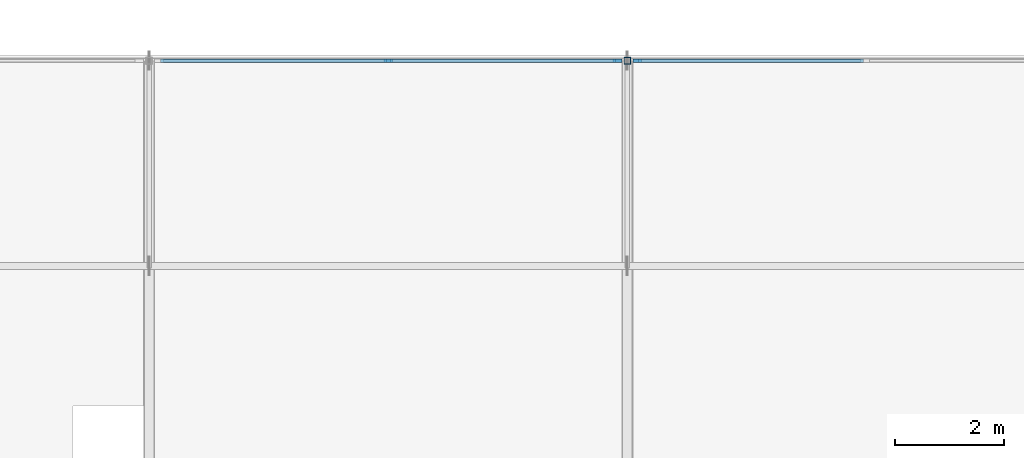
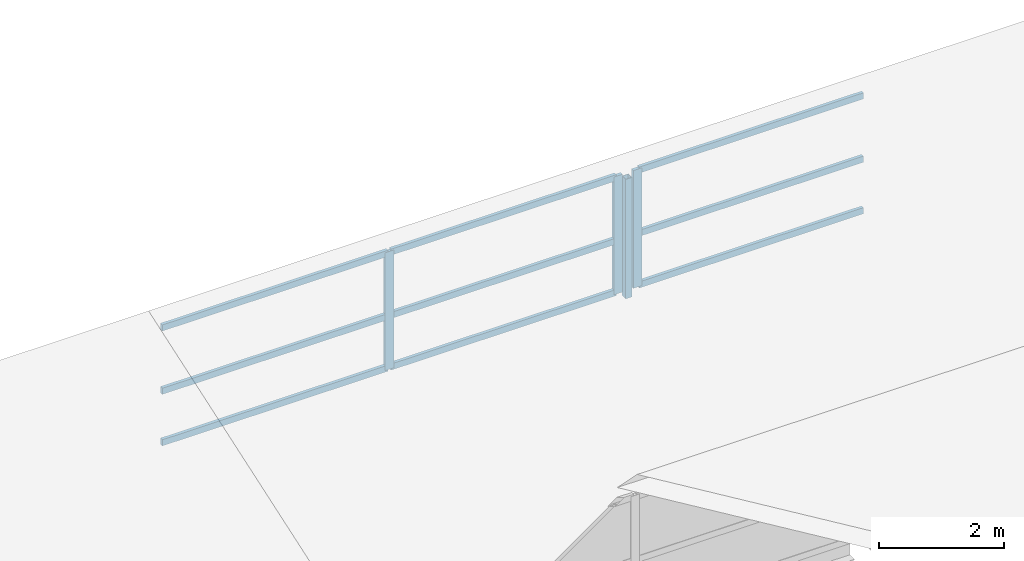
# One storey, part 20 of 40: 13 members, 2 elements without a shape of their own.
"""IFC4 building model written with IfcOpenShell, lengths in metres."""

from ifc_helpers import new_model, si_unit, direction, frame, origin, origin_2d, place, context, subcontext, project, spatial, rectangle, hollow_rectangle, extrude, material, material_profile, profile_set, type_object, element, aggregate, save


model = new_model("IFC4")

# Units and contexts
model_context = context("Model", 3, precision=1e-05, world=origin(), true_north=direction((0.0, 1.0)))
body_context = subcontext(model_context, "Body", "Model", "MODEL_VIEW")
ifc_project = project(units=[si_unit("LENGTHUNIT", "METRE"), si_unit("AREAUNIT", "SQUARE_METRE"), si_unit("VOLUMEUNIT", "CUBIC_METRE"), si_unit("PLANEANGLEUNIT", "RADIAN"), si_unit("MASSUNIT", "GRAM", prefix="KILO")], contexts=[model_context])

# Site, building, storey
site_placement = place(None, origin())
site = spatial("IfcSite", under=ifc_project, at=site_placement, CompositionType="ELEMENT")
building_placement = place(site_placement, origin())
building = spatial("IfcBuilding", under=site, at=building_placement, Name="Brinegate Botanical Conservatory", CompositionType="ELEMENT")
storey_placement = place(building_placement, frame((0.0, 0.0, 19.199951171875)))
storey = spatial("IfcBuildingStorey", under=building, at=storey_placement, Name="L05", CompositionType="ELEMENT", Elevation=19.199951171875)

# Curtain wall, members
ifc_material_1 = material(Name="Thermally broken anodised aluminium AW-6063-T6", Category="aluminium")
curtain_wall_type = type_object("IfcCurtainWallType", Name="CW_CW-SAW", PredefinedType="USERDEFINED", material=ifc_material_1)
curtain_wall_1_placement = place(storey_placement, origin())
curtain_wall_1 = element("IfcCurtainWall", 1, at=curtain_wall_1_placement, inside=storey, type_object=curtain_wall_type, Name="Sawtooth north-light clerestory B3.7", ObjectType="FACTORY CURTAIN WALL", PredefinedType="USERDEFINED")
ifc_material_profile_1 = material_profile(ifc_material_1, rectangle(XDim=0.06005859375, YDim=0.159912109375, at=origin_2d()), Name="ALUM MULLION 60x160")
ifc_profile_set_1 = profile_set([ifc_material_profile_1], Name="Thermally broken anodised aluminium AW-6063-T6")
member_type_1 = type_object("IfcMemberType", Name="Member_ML-01", PredefinedType="MULLION", material=ifc_profile_set_1)
member_1_placement = place(storey_placement, frame((108.0, 111.14990234375, 0.150146484375), z_axis=(0.0, 0.0, 1.0), x_axis=(0.0, 1.0, 0.0)))
member_1 = element("IfcMember", 2, at=member_1_placement, type_object=member_type_1, Name="CW-SAW mullion 2", PredefinedType="MULLION", context=body_context, shape_type="SweptSolid", body=[
    extrude(rectangle(XDim=0.06005859375, YDim=0.159912109375, at=origin_2d()), origin(), (0.0, 0.0, 1.0), 2.2998046875),
])
member_2_placement = place(storey_placement, frame((112.219970703125, 111.14990234375, 0.150146484375), z_axis=(0.0, 0.0, 1.0), x_axis=(0.0, 1.0, 0.0)))
member_2 = element("IfcMember", 3, at=member_2_placement, type_object=member_type_1, Name="CW-SAW mullion 3", PredefinedType="MULLION", context=body_context, shape_type="SweptSolid", body=[
    extrude(rectangle(XDim=0.06005859375, YDim=0.159912109375, at=origin_2d()), origin(), (0.0, 0.0, 1.0), 2.2998046875),
])

# Curtain wall, member
curtain_wall_2_placement = place(storey_placement, origin())
curtain_wall_2 = element("IfcCurtainWall", 4, at=curtain_wall_2_placement, inside=storey, type_object=curtain_wall_type, Name="Sawtooth north-light clerestory B3.8", ObjectType="FACTORY CURTAIN WALL", PredefinedType="USERDEFINED")
member_3_placement = place(storey_placement, frame((112.580078125, 111.14990234375, 0.150146484375), z_axis=(0.0, 0.0, 1.0), x_axis=(0.0, 1.0, 0.0)))
member_3 = element("IfcMember", 5, at=member_3_placement, type_object=member_type_1, Name="CW-SAW mullion 1", PredefinedType="MULLION", context=body_context, shape_type="SweptSolid", body=[
    extrude(rectangle(XDim=0.06005859375, YDim=0.159912109375, at=origin_2d()), origin(), (0.0, 0.0, 1.0), 2.2998046875),
])

# Member
ifc_material_2 = material(Name="Structural steel Q355B / S355", Category="steel")
ifc_material_profile_2 = material_profile(ifc_material_2, hollow_rectangle(XDim=0.1201171875, YDim=0.1201171875, WallThickness=0.006103515625, at=origin_2d()), Name="SHS 120x120x6")
ifc_profile_set_2 = profile_set([ifc_material_profile_2], Name="Structural steel Q355B / S355")
member_type_2 = type_object("IfcMemberType", Name="Member_SS-01", PredefinedType="STRUT", material=ifc_profile_set_2)
member_4_placement = place(storey_placement, frame((112.39990234375, 111.14990234375, 0.02001953125), z_axis=(0.0, 0.0, 1.0), x_axis=(1.0, 0.0, 0.0)))
element("IfcMember", 6, at=member_4_placement, inside=storey, type_object=member_type_2, Name="Sawtooth north clerestory post SS-01 B3.T8", PredefinedType="STRUT", context=body_context, shape_type="SweptSolid", body=[
    extrude(hollow_rectangle(XDim=0.1201171875, YDim=0.1201171875, WallThickness=0.006103515625, at=origin_2d()), origin(), (0.0, 0.0, 1.0), 2.330078125),
])

ifc_material_profile_3 = material_profile(ifc_material_1, rectangle(XDim=0.06005859375, YDim=0.1201171875, at=origin_2d()), Name="ALUM TRANSOM 60x120")
ifc_profile_set_3 = profile_set([ifc_material_profile_3], Name="Thermally broken anodised aluminium AW-6063-T6")
member_type_3 = type_object("IfcMemberType", Name="Member_TR-01", PredefinedType="USERDEFINED", material=ifc_profile_set_3)
member_5_placement = place(storey_placement, frame((103.81005859375, 111.14990234375, 0.179931640625), z_axis=(1.0, 0.0, 0.0), x_axis=(0.0, 1.0, 0.0)))
member_5 = element("IfcMember", 7, at=member_5_placement, type_object=member_type_3, Name="CW-SAW transom 1.1", ObjectType="TRANSOM", PredefinedType="USERDEFINED", context=body_context, shape_type="SweptSolid", body=[
    extrude(rectangle(XDim=0.06005859375, YDim=0.1201171875, at=origin_2d()), origin(), (0.0, 0.0, 1.0), 4.159912109375),
])

member_6_placement = place(storey_placement, frame((103.81005859375, 111.14990234375, 1.18505859375), z_axis=(1.0, 0.0, 0.0), x_axis=(0.0, 1.0, 0.0)))
member_6 = element("IfcMember", 8, at=member_6_placement, type_object=member_type_3, Name="CW-SAW transom 1.2", ObjectType="TRANSOM", PredefinedType="USERDEFINED", context=body_context, shape_type="SweptSolid", body=[
    extrude(rectangle(XDim=0.06005859375, YDim=0.1201171875, at=origin_2d()), origin(), (0.0, 0.0, 1.0), 4.159912109375),
])

member_7_placement = place(storey_placement, frame((103.81005859375, 111.14990234375, 2.420166015625), z_axis=(1.0, 0.0, 0.0), x_axis=(0.0, 1.0, 0.0)))
member_7 = element("IfcMember", 9, at=member_7_placement, type_object=member_type_3, Name="CW-SAW transom 1.3", ObjectType="TRANSOM", PredefinedType="USERDEFINED", context=body_context, shape_type="SweptSolid", body=[
    extrude(rectangle(XDim=0.06005859375, YDim=0.1201171875, at=origin_2d()), origin(), (0.0, 0.0, 1.0), 4.159912109375),
])

member_8_placement = place(storey_placement, frame((108.030029296875, 111.14990234375, 0.179931640625), z_axis=(1.0, 0.0, 0.0), x_axis=(0.0, 1.0, 0.0)))
member_8 = element("IfcMember", 10, at=member_8_placement, type_object=member_type_3, Name="CW-SAW transom 2.1", ObjectType="TRANSOM", PredefinedType="USERDEFINED", context=body_context, shape_type="SweptSolid", body=[
    extrude(rectangle(XDim=0.06005859375, YDim=0.1201171875, at=origin_2d()), origin(), (0.0, 0.0, 1.0), 4.159912109375),
])

member_9_placement = place(storey_placement, frame((108.030029296875, 111.14990234375, 1.18505859375), z_axis=(1.0, 0.0, 0.0), x_axis=(0.0, 1.0, 0.0)))
member_9 = element("IfcMember", 11, at=member_9_placement, type_object=member_type_3, Name="CW-SAW transom 2.2", ObjectType="TRANSOM", PredefinedType="USERDEFINED", context=body_context, shape_type="SweptSolid", body=[
    extrude(rectangle(XDim=0.06005859375, YDim=0.1201171875, at=origin_2d()), origin(), (0.0, 0.0, 1.0), 4.159912109375),
])

member_10_placement = place(storey_placement, frame((108.030029296875, 111.14990234375, 2.420166015625), z_axis=(1.0, 0.0, 0.0), x_axis=(0.0, 1.0, 0.0)))
member_10 = element("IfcMember", 12, at=member_10_placement, type_object=member_type_3, Name="CW-SAW transom 2.3", ObjectType="TRANSOM", PredefinedType="USERDEFINED", context=body_context, shape_type="SweptSolid", body=[
    extrude(rectangle(XDim=0.06005859375, YDim=0.1201171875, at=origin_2d()), origin(), (0.0, 0.0, 1.0), 4.159912109375),
])

aggregate(curtain_wall_1, [member_1, member_2, member_5, member_6, member_7, member_8, member_9, member_10])

member_11_placement = place(storey_placement, frame((112.610107421875, 111.14990234375, 0.179931640625), z_axis=(1.0, 0.0, 0.0), x_axis=(0.0, 1.0, 0.0)))
member_11 = element("IfcMember", 13, at=member_11_placement, type_object=member_type_3, Name="CW-SAW transom 1.1", ObjectType="TRANSOM", PredefinedType="USERDEFINED", context=body_context, shape_type="SweptSolid", body=[
    extrude(rectangle(XDim=0.06005859375, YDim=0.1201171875, at=origin_2d()), origin(), (0.0, 0.0, 1.0), 4.135009765625),
])

member_12_placement = place(storey_placement, frame((112.610107421875, 111.14990234375, 1.18505859375), z_axis=(1.0, 0.0, 0.0), x_axis=(0.0, 1.0, 0.0)))
member_12 = element("IfcMember", 14, at=member_12_placement, type_object=member_type_3, Name="CW-SAW transom 1.2", ObjectType="TRANSOM", PredefinedType="USERDEFINED", context=body_context, shape_type="SweptSolid", body=[
    extrude(rectangle(XDim=0.06005859375, YDim=0.1201171875, at=origin_2d()), origin(), (0.0, 0.0, 1.0), 4.135009765625),
])

member_13_placement = place(storey_placement, frame((112.610107421875, 111.14990234375, 2.420166015625), z_axis=(1.0, 0.0, 0.0), x_axis=(0.0, 1.0, 0.0)))
member_13 = element("IfcMember", 15, at=member_13_placement, type_object=member_type_3, Name="CW-SAW transom 1.3", ObjectType="TRANSOM", PredefinedType="USERDEFINED", context=body_context, shape_type="SweptSolid", body=[
    extrude(rectangle(XDim=0.06005859375, YDim=0.1201171875, at=origin_2d()), origin(), (0.0, 0.0, 1.0), 4.135009765625),
])

aggregate(curtain_wall_2, [member_3, member_11, member_12, member_13])

save(model, "model.ifc")
